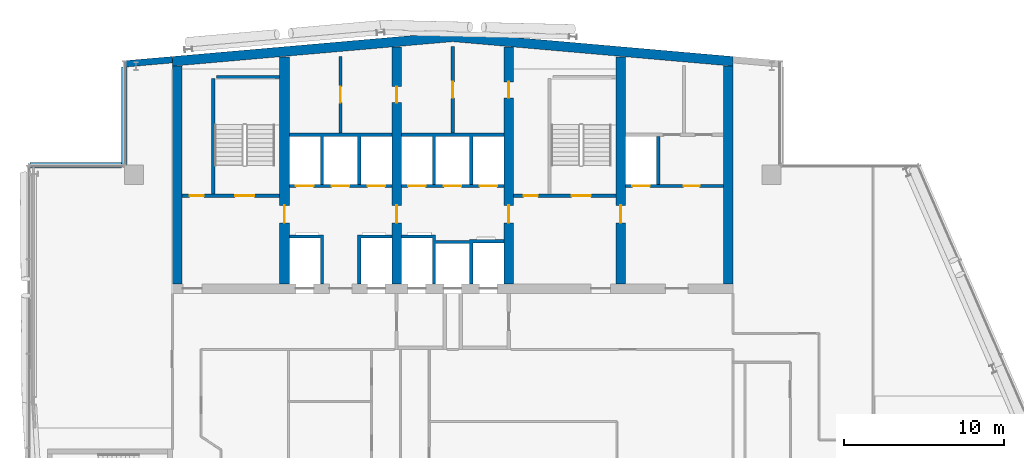
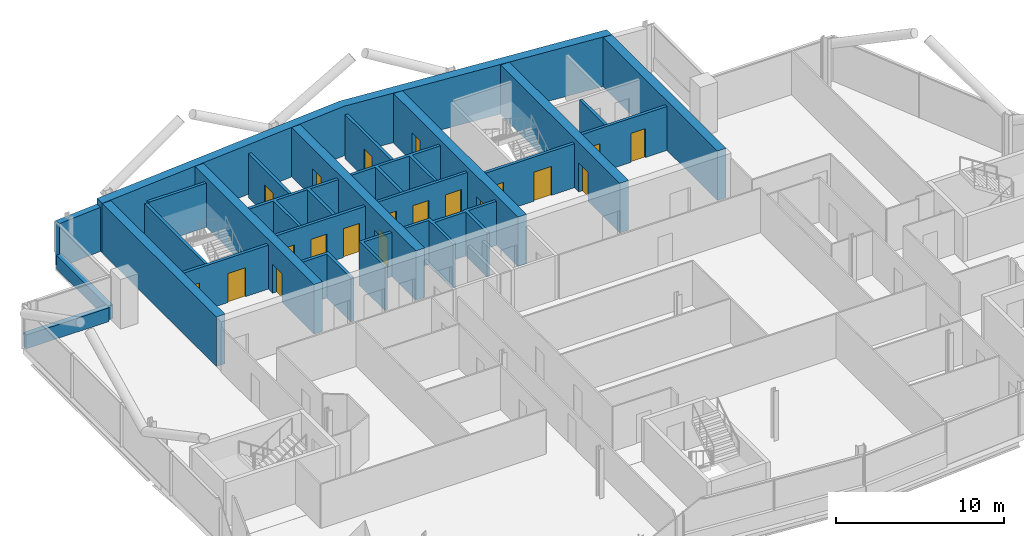
# One storey, part 18 of 25: 25 walls, 20 doors, 20 openings.
"""IFC4 building model written with IfcOpenShell, lengths in metres."""

from ifc_helpers import new_model, si_unit, direction, frame, frame_2d, origin, place, context, subcontext, project, spatial, polyline, rectangle, outline, extrude, material, layer, layer_set, type_object, element, fill, save


model = new_model("IFC4")

# Units and contexts
model_context = context("Model", 3, precision=1e-05, world=origin(), true_north=direction((0.0, 1.0)))
body_context = subcontext(model_context, "Body", "Model", "MODEL_VIEW")
ifc_project = project(units=[si_unit("LENGTHUNIT", "METRE"), si_unit("AREAUNIT", "SQUARE_METRE"), si_unit("VOLUMEUNIT", "CUBIC_METRE"), si_unit("PLANEANGLEUNIT", "RADIAN"), si_unit("MASSUNIT", "GRAM", prefix="KILO")], contexts=[model_context])

# Site, building, storey
site_placement = place(None, origin())
site = spatial("IfcSite", under=ifc_project, at=site_placement, CompositionType="ELEMENT")
building_placement = place(site_placement, origin())
building = spatial("IfcBuilding", under=site, at=building_placement, Name="Wharfspan Tower", CompositionType="ELEMENT")
storey_placement = place(building_placement, frame((0.0, 0.0, 225.100098)))
storey = spatial("IfcBuildingStorey", under=building, at=storey_placement, Name="L56", CompositionType="ELEMENT", Elevation=225.100098)

# Wall, opening, door
ifc_material_1 = material(Name="Calcium silicate masonry", Category="masonry")
ifc_layer_1 = layer(ifc_material_1, 0.199951)
ifc_layer_set_1 = layer_set([ifc_layer_1], Name="Calcium silicate masonry")
wall_type_1 = type_object("IfcWallType", Name="Core room wall 200", PredefinedType="PARTITIONING", material=ifc_layer_set_1)
wall_1_placement = place(storey_placement, frame((33.5, 44.0, 0.0), z_axis=(0.0, 0.0, 1.0), x_axis=(0.0, 1.0, 0.0)))
wall_1 = element("IfcWall", 1, at=wall_1_placement, inside=storey, type_object=wall_type_1, Name="sw:L56:RP3.1", PredefinedType="PARTITIONING", context=body_context, shape_type="SweptSolid", body=[
    extrude(rectangle(XDim=4.803711, YDim=0.199951, at=frame_2d((2.401855, 0.0))), origin(), (0.0, 0.0, 1.0), 3.199951),
])
opening_1_placement = place(wall_1_placement, frame((1.901855, 0.0, 0.0)))
opening_1 = element("IfcOpeningElement", 2, at=opening_1_placement, cuts=wall_1, Name="Opening CD56.3P1", PredefinedType="OPENING", context=body_context, shape_type="SweptSolid", body=[
    extrude(rectangle(XDim=1.0, YDim=2.100098, at=frame_2d((0.5, 1.050049))), frame((0.0, 0.109863, 0.0), z_axis=(0.0, -1.0, 0.0), x_axis=(1.0, 0.0, 0.0)), (0.0, 0.0, 1.0), 0.219971),
])
ifc_material_2 = material(Name="Steel door leaf", Category="steel")
door_type_1 = type_object("IfcDoorType", Name="Core room door 1000x2100", OperationType="SINGLE_SWING_LEFT", PredefinedType="DOOR", material=ifc_material_2)
door_1_placement = place(opening_1_placement, origin())
door_1 = element("IfcDoor", 3, at=door_1_placement, inside=storey, type_object=door_type_1, Name="d:L56:3:rp1", OperationType="SINGLE_SWING_LEFT", OverallHeight=2.100098, OverallWidth=1.0, PredefinedType="DOOR", context=body_context, shape_type="SweptSolid", body=[
    extrude(rectangle(XDim=1.0, YDim=2.100098, at=frame_2d((0.5, 1.050049))), frame((0.0, 0.024902, 0.0), z_axis=(0.0, -1.0, 0.0), x_axis=(1.0, 0.0, 0.0)), (0.0, 0.0, 1.0), 0.050049),
])
fill(opening_1, door_1)

wall_2_placement = place(storey_placement, frame((40.5, 44.0, 0.0), z_axis=(0.0, 0.0, 1.0), x_axis=(0.0, 1.0, 0.0)))
wall_2 = element("IfcWall", 4, at=wall_2_placement, inside=storey, type_object=wall_type_1, Name="sw:L56:RP4.1", PredefinedType="PARTITIONING", context=body_context, shape_type="SweptSolid", body=[
    extrude(rectangle(XDim=5.41626, YDim=0.199951, at=frame_2d((2.708008, 0.0))), origin(), (0.0, 0.0, 1.0), 3.199951),
])
opening_2_placement = place(wall_2_placement, frame((2.208008, 0.0, 0.0)))
opening_2 = element("IfcOpeningElement", 5, at=opening_2_placement, cuts=wall_2, Name="Opening CD56.4P1", PredefinedType="OPENING", context=body_context, shape_type="SweptSolid", body=[
    extrude(rectangle(XDim=1.0, YDim=2.100098, at=frame_2d((0.5, 1.050049))), frame((0.0, 0.109863, 0.0), z_axis=(0.0, -1.0, 0.0), x_axis=(1.0, 0.0, 0.0)), (0.0, 0.0, 1.0), 0.219971),
])
door_2_placement = place(opening_2_placement, origin())
door_2 = element("IfcDoor", 6, at=door_2_placement, inside=storey, type_object=door_type_1, Name="d:L56:4:rp1", OperationType="SINGLE_SWING_LEFT", OverallHeight=2.100098, OverallWidth=1.0, PredefinedType="DOOR", context=body_context, shape_type="SweptSolid", body=[
    extrude(rectangle(XDim=1.0, YDim=2.100098, at=frame_2d((0.5, 1.050049))), frame((0.0, 0.024902, 0.0), z_axis=(0.0, -1.0, 0.0), x_axis=(1.0, 0.0, 0.0)), (0.0, 0.0, 1.0), 0.050049),
])
fill(opening_2, door_2)

# Walls
ifc_material_3 = material(Name="Concrete C50/60", Category="concrete")
ifc_layer_2 = layer(ifc_material_3, 0.600098)
ifc_layer_set_2 = layer_set([ifc_layer_2], Name="Concrete C50/60")
wall_type_2 = type_object("IfcWallType", Name="Core wall 600 C50/60", PredefinedType="SHEAR", material=ifc_layer_set_2)
wall_3_placement = place(storey_placement, frame((0.0, 0.0, -0.000244)))
element("IfcWall", 7, at=wall_3_placement, inside=storey, type_object=wall_type_2, Name="Core rear wall L56", PredefinedType="SHEAR", context=body_context, shape_type="SweptSolid", body=[
    extrude(outline(polyline([(23.0, 48.185059), (40.5, 49.716064), (58.0, 48.185059), (58.0, 48.787354), (40.5, 50.318359), (23.0, 48.787354), (23.0, 48.185059)])), origin(), (0.0, 0.0, 1.0), 3.600098),
])
wall_4_placement = place(storey_placement, frame((23.300049, 34.600098, 0.0), z_axis=(0.0, 0.0, 1.0), x_axis=(0.0, 1.0, 0.0)))
element("IfcWall", 8, at=wall_4_placement, inside=storey, type_object=wall_type_2, Name="Core cross wall EW0 L56", PredefinedType="SHEAR", context=body_context, shape_type="SweptSolid", body=[
    extrude(rectangle(XDim=13.584961, YDim=0.600098, at=frame_2d((6.79248, 0.0))), origin(), (0.0, 0.0, 1.0), 3.599854),
])

# Wall, opening, door
wall_5_placement = place(storey_placement, frame((30.0, 34.600098, 0.0), z_axis=(0.0, 0.0, 1.0), x_axis=(0.0, 1.0, 0.0)))
wall_5 = element("IfcWall", 9, at=wall_5_placement, inside=storey, type_object=wall_type_2, Name="Core cross wall X3 L56", PredefinedType="SHEAR", context=body_context, shape_type="SweptSolid", body=[
    extrude(rectangle(XDim=14.171143, YDim=0.600098, at=frame_2d((7.085449, 0.0))), origin(), (0.0, 0.0, 1.0), 3.599854),
])
opening_3_placement = place(wall_5_placement, frame((3.800049, 0.0, 0.0)))
opening_3 = element("IfcOpeningElement", 10, at=opening_3_placement, cuts=wall_5, Name="Opening CC56.3", PredefinedType="OPENING", context=body_context, shape_type="SweptSolid", body=[
    extrude(rectangle(XDim=1.100098, YDim=2.100098, at=frame_2d((0.550049, 1.050049))), frame((0.0, 0.310059, 0.0), z_axis=(0.0, -1.0, 0.0), x_axis=(1.0, 0.0, 0.0)), (0.0, 0.0, 1.0), 0.620117),
])
door_type_2 = type_object("IfcDoorType", Name="Core corridor door 1100x2100", OperationType="SINGLE_SWING_LEFT", PredefinedType="DOOR", material=ifc_material_2)
door_3_placement = place(opening_3_placement, origin())
door_3 = element("IfcDoor", 11, at=door_3_placement, inside=storey, type_object=door_type_2, Name="xd:L56:3", OperationType="SINGLE_SWING_LEFT", OverallHeight=2.100098, OverallWidth=1.100098, PredefinedType="DOOR", context=body_context, shape_type="SweptSolid", body=[
    extrude(rectangle(XDim=1.100098, YDim=2.100098, at=frame_2d((0.550049, 1.050049))), frame((0.0, 0.024902, 0.0), z_axis=(0.0, -1.0, 0.0), x_axis=(1.0, 0.0, 0.0)), (0.0, 0.0, 1.0), 0.050049),
])
fill(opening_3, door_3)

# Wall, openings, doors
wall_6_placement = place(storey_placement, frame((37.0, 34.600098, 0.0), z_axis=(0.0, 0.0, 1.0), x_axis=(0.0, 1.0, 0.0)))
wall_6 = element("IfcWall", 12, at=wall_6_placement, inside=storey, type_object=wall_type_2, Name="Core cross wall X4 L56", PredefinedType="SHEAR", context=body_context, shape_type="SweptSolid", body=[
    extrude(rectangle(XDim=14.783691, YDim=0.600098, at=frame_2d((7.391846, 0.0))), origin(), (0.0, 0.0, 1.0), 3.599854),
])
opening_4_placement = place(wall_6_placement, frame((11.302002, 0.0, 0.0)))
opening_4 = element("IfcOpeningElement", 13, at=opening_4_placement, cuts=wall_6, Name="Opening CD56.3X", PredefinedType="OPENING", context=body_context, shape_type="SweptSolid", body=[
    extrude(rectangle(XDim=1.0, YDim=2.100098, at=frame_2d((0.5, 1.050049))), frame((0.0, 0.310059, 0.0), z_axis=(0.0, -1.0, 0.0), x_axis=(1.0, 0.0, 0.0)), (0.0, 0.0, 1.0), 0.620117),
])
opening_5_placement = place(wall_6_placement, frame((3.800049, 0.0, 0.0)))
opening_5 = element("IfcOpeningElement", 14, at=opening_5_placement, cuts=wall_6, Name="Opening CC56.4", PredefinedType="OPENING", context=body_context, shape_type="SweptSolid", body=[
    extrude(rectangle(XDim=1.100098, YDim=2.100098, at=frame_2d((0.550049, 1.050049))), frame((0.0, 0.310059, 0.0), z_axis=(0.0, -1.0, 0.0), x_axis=(1.0, 0.0, 0.0)), (0.0, 0.0, 1.0), 0.620117),
])
door_4_placement = place(opening_5_placement, origin())
door_4 = element("IfcDoor", 15, at=door_4_placement, inside=storey, type_object=door_type_2, Name="xd:L56:4", OperationType="SINGLE_SWING_RIGHT", OverallHeight=2.100098, OverallWidth=1.100098, PredefinedType="DOOR", context=body_context, shape_type="SweptSolid", body=[
    extrude(rectangle(XDim=1.100098, YDim=2.100098, at=frame_2d((0.550049, 1.050049))), frame((0.0, 0.024902, 0.0), z_axis=(0.0, -1.0, 0.0), x_axis=(1.0, 0.0, 0.0)), (0.0, 0.0, 1.0), 0.050049),
])
fill(opening_5, door_4)
door_5_placement = place(opening_4_placement, origin())
door_5 = element("IfcDoor", 16, at=door_5_placement, inside=storey, type_object=door_type_1, Name="d:L56:3:sx", OperationType="SINGLE_SWING_LEFT", OverallHeight=2.100098, OverallWidth=1.0, PredefinedType="DOOR", context=body_context, shape_type="SweptSolid", body=[
    extrude(rectangle(XDim=1.0, YDim=2.100098, at=frame_2d((0.5, 1.050049))), frame((0.0, 0.024902, 0.0), z_axis=(0.0, -1.0, 0.0), x_axis=(1.0, 0.0, 0.0)), (0.0, 0.0, 1.0), 0.050049),
])
fill(opening_4, door_5)

wall_7_placement = place(storey_placement, frame((44.0, 34.600098, 0.0), z_axis=(0.0, 0.0, 1.0), x_axis=(0.0, 1.0, 0.0)))
wall_7 = element("IfcWall", 17, at=wall_7_placement, inside=storey, type_object=wall_type_2, Name="Core cross wall X5 L56", PredefinedType="SHEAR", context=body_context, shape_type="SweptSolid", body=[
    extrude(rectangle(XDim=14.783691, YDim=0.600098, at=frame_2d((7.391846, 0.0))), origin(), (0.0, 0.0, 1.0), 3.599854),
])
opening_6_placement = place(wall_7_placement, frame((11.608154, 0.0, 0.0)))
opening_6 = element("IfcOpeningElement", 18, at=opening_6_placement, cuts=wall_7, Name="Opening CD56.4X", PredefinedType="OPENING", context=body_context, shape_type="SweptSolid", body=[
    extrude(rectangle(XDim=1.0, YDim=2.100098, at=frame_2d((0.5, 1.050049))), frame((0.0, 0.310059, 0.0), z_axis=(0.0, -1.0, 0.0), x_axis=(1.0, 0.0, 0.0)), (0.0, 0.0, 1.0), 0.620117),
])
opening_7_placement = place(wall_7_placement, frame((3.800049, 0.0, 0.0)))
opening_7 = element("IfcOpeningElement", 19, at=opening_7_placement, cuts=wall_7, Name="Opening CC56.5", PredefinedType="OPENING", context=body_context, shape_type="SweptSolid", body=[
    extrude(rectangle(XDim=1.100098, YDim=2.100098, at=frame_2d((0.550049, 1.050049))), frame((0.0, 0.310059, 0.0), z_axis=(0.0, -1.0, 0.0), x_axis=(1.0, 0.0, 0.0)), (0.0, 0.0, 1.0), 0.620117),
])
door_6_placement = place(opening_7_placement, origin())
door_6 = element("IfcDoor", 20, at=door_6_placement, inside=storey, type_object=door_type_2, Name="xd:L56:5", OperationType="SINGLE_SWING_LEFT", OverallHeight=2.100098, OverallWidth=1.100098, PredefinedType="DOOR", context=body_context, shape_type="SweptSolid", body=[
    extrude(rectangle(XDim=1.100098, YDim=2.100098, at=frame_2d((0.550049, 1.050049))), frame((0.0, 0.024902, 0.0), z_axis=(0.0, -1.0, 0.0), x_axis=(1.0, 0.0, 0.0)), (0.0, 0.0, 1.0), 0.050049),
])
fill(opening_7, door_6)
door_7_placement = place(opening_6_placement, origin())
door_7 = element("IfcDoor", 21, at=door_7_placement, inside=storey, type_object=door_type_1, Name="d:L56:4:sx", OperationType="SINGLE_SWING_LEFT", OverallHeight=2.100098, OverallWidth=1.0, PredefinedType="DOOR", context=body_context, shape_type="SweptSolid", body=[
    extrude(rectangle(XDim=1.0, YDim=2.100098, at=frame_2d((0.5, 1.050049))), frame((0.0, 0.024902, 0.0), z_axis=(0.0, -1.0, 0.0), x_axis=(1.0, 0.0, 0.0)), (0.0, 0.0, 1.0), 0.050049),
])
fill(opening_6, door_7)

# Wall, opening, door
wall_8_placement = place(storey_placement, frame((51.0, 34.600098, 0.0), z_axis=(0.0, 0.0, 1.0), x_axis=(0.0, 1.0, 0.0)))
wall_8 = element("IfcWall", 22, at=wall_8_placement, inside=storey, type_object=wall_type_2, Name="Core cross wall X6 L56", PredefinedType="SHEAR", context=body_context, shape_type="SweptSolid", body=[
    extrude(rectangle(XDim=14.171143, YDim=0.600098, at=frame_2d((7.085449, 0.0))), origin(), (0.0, 0.0, 1.0), 3.599854),
])
opening_8_placement = place(wall_8_placement, frame((3.800049, 0.0, 0.0)))
opening_8 = element("IfcOpeningElement", 23, at=opening_8_placement, cuts=wall_8, Name="Opening CC56.6", PredefinedType="OPENING", context=body_context, shape_type="SweptSolid", body=[
    extrude(rectangle(XDim=1.100098, YDim=2.100098, at=frame_2d((0.550049, 1.050049))), frame((0.0, 0.310059, 0.0), z_axis=(0.0, -1.0, 0.0), x_axis=(1.0, 0.0, 0.0)), (0.0, 0.0, 1.0), 0.620117),
])
door_8_placement = place(opening_8_placement, origin())
door_8 = element("IfcDoor", 24, at=door_8_placement, inside=storey, type_object=door_type_2, Name="xd:L56:6", OperationType="SINGLE_SWING_RIGHT", OverallHeight=2.100098, OverallWidth=1.100098, PredefinedType="DOOR", context=body_context, shape_type="SweptSolid", body=[
    extrude(rectangle(XDim=1.100098, YDim=2.100098, at=frame_2d((0.550049, 1.050049))), frame((0.0, 0.024902, 0.0), z_axis=(0.0, -1.0, 0.0), x_axis=(1.0, 0.0, 0.0)), (0.0, 0.0, 1.0), 0.050049),
])
fill(opening_8, door_8)

# Wall
wall_9_placement = place(storey_placement, frame((57.699951, 34.600098, 0.0), z_axis=(0.0, 0.0, 1.0), x_axis=(0.0, 1.0, 0.0)))
element("IfcWall", 25, at=wall_9_placement, inside=storey, type_object=wall_type_2, Name="Core cross wall EW1 L56", PredefinedType="SHEAR", context=body_context, shape_type="SweptSolid", body=[
    extrude(rectangle(XDim=13.584961, YDim=0.600098, at=frame_2d((6.79248, 0.0))), origin(), (0.0, 0.0, 1.0), 3.599854),
])

# Wall, openings, doors
ifc_material_4 = material(Name="Concrete C30/37", Category="concrete")
ifc_layer_3 = layer(ifc_material_4, 0.199951)
ifc_layer_set_3 = layer_set([ifc_layer_3], Name="Concrete C30/37")
wall_type_3 = type_object("IfcWallType", Name="Lift shaft wall 200", PredefinedType="PARTITIONING", material=ifc_layer_set_3)
wall_10_placement = place(storey_placement, frame((30.300049, 40.699951, 0.0), z_axis=(0.0, 0.0, 1.0), x_axis=(1.0, 0.0, 0.0)))
wall_10 = element("IfcWall", 26, at=wall_10_placement, inside=storey, type_object=wall_type_3, Name="sw:L56:RF3", PredefinedType="PARTITIONING", context=body_context, shape_type="SweptSolid", body=[
    extrude(rectangle(XDim=6.399902, YDim=0.199951, at=frame_2d((3.199951, 0.0))), origin(), (0.0, 0.0, 1.0), 3.199951),
])
opening_9_placement = place(wall_10_placement, frame((0.416748, 0.0, 0.0)))
opening_9 = element("IfcOpeningElement", 27, at=opening_9_placement, cuts=wall_10, Name="Opening LD.LB1.L56", PredefinedType="OPENING", context=body_context, shape_type="SweptSolid", body=[
    extrude(rectangle(XDim=1.100098, YDim=2.100098, at=frame_2d((0.550049, 1.050049))), frame((0.0, 0.109863, 0.0), z_axis=(0.0, -1.0, 0.0), x_axis=(1.0, 0.0, 0.0)), (0.0, 0.0, 1.0), 0.219971),
])
opening_10_placement = place(wall_10_placement, frame((2.649902, 0.0, 0.0)))
opening_10 = element("IfcOpeningElement", 28, at=opening_10_placement, cuts=wall_10, Name="Opening LD.LB2.L56", PredefinedType="OPENING", context=body_context, shape_type="SweptSolid", body=[
    extrude(rectangle(XDim=1.100098, YDim=2.100098, at=frame_2d((0.550049, 1.050049))), frame((0.0, 0.109863, 0.0), z_axis=(0.0, -1.0, 0.0), x_axis=(1.0, 0.0, 0.0)), (0.0, 0.0, 1.0), 0.219971),
])
opening_11_placement = place(wall_10_placement, frame((4.883301, 0.0, 0.0)))
opening_11 = element("IfcOpeningElement", 29, at=opening_11_placement, cuts=wall_10, Name="Opening LD.LB3.L56", PredefinedType="OPENING", context=body_context, shape_type="SweptSolid", body=[
    extrude(rectangle(XDim=1.100098, YDim=2.100098, at=frame_2d((0.550049, 1.050049))), frame((0.0, 0.109863, 0.0), z_axis=(0.0, -1.0, 0.0), x_axis=(1.0, 0.0, 0.0)), (0.0, 0.0, 1.0), 0.219971),
])
ifc_material_5 = material(Name="Stainless steel", Category="steel")
door_type_3 = type_object("IfcDoorType", Name="Lift landing door 1100x2100", OperationType="DOUBLE_DOOR_SLIDING", PredefinedType="DOOR", material=ifc_material_5)
door_9_placement = place(opening_9_placement, origin())
door_9 = element("IfcDoor", 30, at=door_9_placement, inside=storey, type_object=door_type_3, Name="Landing door LB1 L56", OperationType="DOUBLE_DOOR_SLIDING", OverallHeight=2.100098, OverallWidth=1.100098, PredefinedType="DOOR", context=body_context, shape_type="SweptSolid", body=[
    extrude(rectangle(XDim=1.100098, YDim=2.100098, at=frame_2d((0.550049, 1.050049))), frame((0.0, 0.024902, 0.0), z_axis=(0.0, -1.0, 0.0), x_axis=(1.0, 0.0, 0.0)), (0.0, 0.0, 1.0), 0.050049),
])
fill(opening_9, door_9)
door_10_placement = place(opening_10_placement, origin())
door_10 = element("IfcDoor", 31, at=door_10_placement, inside=storey, type_object=door_type_3, Name="Landing door LB2 L56", OperationType="DOUBLE_DOOR_SLIDING", OverallHeight=2.100098, OverallWidth=1.100098, PredefinedType="DOOR", context=body_context, shape_type="SweptSolid", body=[
    extrude(rectangle(XDim=1.100098, YDim=2.100098, at=frame_2d((0.550049, 1.050049))), frame((0.0, 0.024902, 0.0), z_axis=(0.0, -1.0, 0.0), x_axis=(1.0, 0.0, 0.0)), (0.0, 0.0, 1.0), 0.050049),
])
fill(opening_10, door_10)
door_11_placement = place(opening_11_placement, origin())
door_11 = element("IfcDoor", 32, at=door_11_placement, inside=storey, type_object=door_type_3, Name="Landing door LB3 L56", OperationType="DOUBLE_DOOR_SLIDING", OverallHeight=2.100098, OverallWidth=1.100098, PredefinedType="DOOR", context=body_context, shape_type="SweptSolid", body=[
    extrude(rectangle(XDim=1.100098, YDim=2.100098, at=frame_2d((0.550049, 1.050049))), frame((0.0, 0.024902, 0.0), z_axis=(0.0, -1.0, 0.0), x_axis=(1.0, 0.0, 0.0)), (0.0, 0.0, 1.0), 0.050049),
])
fill(opening_11, door_11)

# Walls
wall_11_placement = place(storey_placement, frame((0.0, 0.0, -0.000244)))
element("IfcWall", 33, at=wall_11_placement, inside=storey, type_object=wall_type_3, Name="sw:L56:FM3.0", PredefinedType="PARTITIONING", context=body_context, shape_type="SweptSolid", body=[
    extrude(outline(polyline([(32.233398, 37.449951), (30.300049, 37.449951), (30.300049, 37.649902), (32.233398, 37.649902), (32.43335, 37.649902), (32.43335, 34.600098), (32.233398, 34.600098), (32.233398, 37.449951)])), origin(), (0.0, 0.0, 1.0), 3.200195),
])
wall_12_placement = place(storey_placement, frame((0.0, 0.0, -0.000244)))
element("IfcWall", 34, at=wall_12_placement, inside=storey, type_object=wall_type_3, Name="sw:L56:FM3.1", PredefinedType="PARTITIONING", context=body_context, shape_type="SweptSolid", body=[
    extrude(outline(polyline([(34.56665, 37.649902), (34.766602, 37.649902), (36.699951, 37.649902), (36.699951, 37.449951), (34.766602, 37.449951), (34.766602, 34.600098), (34.56665, 34.600098), (34.56665, 37.649902)])), origin(), (0.0, 0.0, 1.0), 3.200195),
])
wall_13_placement = place(storey_placement, frame((0.0, 0.0, -0.000244)))
element("IfcWall", 35, at=wall_13_placement, inside=storey, type_object=wall_type_3, Name="sw:L56:RM3.0", PredefinedType="PARTITIONING", context=body_context, shape_type="SweptSolid", body=[
    extrude(outline(polyline([(32.43335, 40.800049), (32.233398, 40.800049), (32.233398, 43.800049), (30.300049, 43.800049), (30.300049, 44.0), (36.699951, 44.0), (36.699951, 43.800049), (34.766602, 43.800049), (34.766602, 40.800049), (34.56665, 40.800049), (34.56665, 43.800049), (32.43335, 43.800049), (32.43335, 40.800049)])), origin(), (0.0, 0.0, 1.0), 3.200195),
])

# Wall, openings, doors
wall_14_placement = place(storey_placement, frame((37.300049, 40.699951, 0.0), z_axis=(0.0, 0.0, 1.0), x_axis=(1.0, 0.0, 0.0)))
wall_14 = element("IfcWall", 36, at=wall_14_placement, inside=storey, type_object=wall_type_3, Name="sw:L56:RF4", PredefinedType="PARTITIONING", context=body_context, shape_type="SweptSolid", body=[
    extrude(rectangle(XDim=6.399902, YDim=0.199951, at=frame_2d((3.199951, 0.0))), origin(), (0.0, 0.0, 1.0), 3.199951),
])
opening_12_placement = place(wall_14_placement, frame((0.416748, 0.0, 0.0)))
opening_12 = element("IfcOpeningElement", 37, at=opening_12_placement, cuts=wall_14, Name="Opening LD.LB4.L56", PredefinedType="OPENING", context=body_context, shape_type="SweptSolid", body=[
    extrude(rectangle(XDim=1.100098, YDim=2.100098, at=frame_2d((0.550049, 1.050049))), frame((0.0, 0.109863, 0.0), z_axis=(0.0, -1.0, 0.0), x_axis=(1.0, 0.0, 0.0)), (0.0, 0.0, 1.0), 0.219971),
])
opening_13_placement = place(wall_14_placement, frame((2.649902, 0.0, 0.0)))
opening_13 = element("IfcOpeningElement", 38, at=opening_13_placement, cuts=wall_14, Name="Opening LD.LB5.L56", PredefinedType="OPENING", context=body_context, shape_type="SweptSolid", body=[
    extrude(rectangle(XDim=1.100098, YDim=2.100098, at=frame_2d((0.550049, 1.050049))), frame((0.0, 0.109863, 0.0), z_axis=(0.0, -1.0, 0.0), x_axis=(1.0, 0.0, 0.0)), (0.0, 0.0, 1.0), 0.219971),
])
opening_14_placement = place(wall_14_placement, frame((4.883301, 0.0, 0.0)))
opening_14 = element("IfcOpeningElement", 39, at=opening_14_placement, cuts=wall_14, Name="Opening LD.LB6.L56", PredefinedType="OPENING", context=body_context, shape_type="SweptSolid", body=[
    extrude(rectangle(XDim=1.100098, YDim=2.100098, at=frame_2d((0.550049, 1.050049))), frame((0.0, 0.109863, 0.0), z_axis=(0.0, -1.0, 0.0), x_axis=(1.0, 0.0, 0.0)), (0.0, 0.0, 1.0), 0.219971),
])
door_12_placement = place(opening_12_placement, origin())
door_12 = element("IfcDoor", 40, at=door_12_placement, inside=storey, type_object=door_type_3, Name="Landing door LB4 L56", OperationType="DOUBLE_DOOR_SLIDING", OverallHeight=2.100098, OverallWidth=1.100098, PredefinedType="DOOR", context=body_context, shape_type="SweptSolid", body=[
    extrude(rectangle(XDim=1.100098, YDim=2.100098, at=frame_2d((0.550049, 1.050049))), frame((0.0, 0.024902, 0.0), z_axis=(0.0, -1.0, 0.0), x_axis=(1.0, 0.0, 0.0)), (0.0, 0.0, 1.0), 0.050049),
])
fill(opening_12, door_12)
door_13_placement = place(opening_13_placement, origin())
door_13 = element("IfcDoor", 41, at=door_13_placement, inside=storey, type_object=door_type_3, Name="Landing door LB5 L56", OperationType="DOUBLE_DOOR_SLIDING", OverallHeight=2.100098, OverallWidth=1.100098, PredefinedType="DOOR", context=body_context, shape_type="SweptSolid", body=[
    extrude(rectangle(XDim=1.100098, YDim=2.100098, at=frame_2d((0.550049, 1.050049))), frame((0.0, 0.024902, 0.0), z_axis=(0.0, -1.0, 0.0), x_axis=(1.0, 0.0, 0.0)), (0.0, 0.0, 1.0), 0.050049),
])
fill(opening_13, door_13)
door_14_placement = place(opening_14_placement, origin())
door_14 = element("IfcDoor", 42, at=door_14_placement, inside=storey, type_object=door_type_3, Name="Landing door LB6 L56", OperationType="DOUBLE_DOOR_SLIDING", OverallHeight=2.100098, OverallWidth=1.100098, PredefinedType="DOOR", context=body_context, shape_type="SweptSolid", body=[
    extrude(rectangle(XDim=1.100098, YDim=2.100098, at=frame_2d((0.550049, 1.050049))), frame((0.0, 0.024902, 0.0), z_axis=(0.0, -1.0, 0.0), x_axis=(1.0, 0.0, 0.0)), (0.0, 0.0, 1.0), 0.050049),
])
fill(opening_14, door_14)

# Walls
wall_15_placement = place(storey_placement, frame((0.0, 0.0, -0.000244)))
element("IfcWall", 43, at=wall_15_placement, inside=storey, type_object=wall_type_3, Name="sw:L56:FM4.0", PredefinedType="PARTITIONING", context=body_context, shape_type="SweptSolid", body=[
    extrude(outline(polyline([(41.56665, 37.100098), (39.43335, 37.100098), (39.43335, 34.600098), (39.233398, 34.600098), (39.233398, 37.449951), (37.300049, 37.449951), (37.300049, 37.649902), (39.233398, 37.649902), (39.43335, 37.649902), (39.43335, 37.300049), (41.56665, 37.300049), (41.56665, 37.350098), (41.766602, 37.350098), (43.699951, 37.350098), (43.699951, 37.149902), (41.766602, 37.149902), (41.766602, 34.600098), (41.56665, 34.600098), (41.56665, 37.100098)])), origin(), (0.0, 0.0, 1.0), 3.200195),
])
wall_16_placement = place(storey_placement, frame((0.0, 0.0, -0.000244)))
element("IfcWall", 44, at=wall_16_placement, inside=storey, type_object=wall_type_3, Name="sw:L56:RM4.0", PredefinedType="PARTITIONING", context=body_context, shape_type="SweptSolid", body=[
    extrude(outline(polyline([(39.43335, 40.800049), (39.233398, 40.800049), (39.233398, 43.800049), (37.300049, 43.800049), (37.300049, 44.0), (43.699951, 44.0), (43.699951, 43.800049), (41.766602, 43.800049), (41.766602, 40.800049), (41.56665, 40.800049), (41.56665, 43.800049), (39.43335, 43.800049), (39.43335, 40.800049)])), origin(), (0.0, 0.0, 1.0), 3.200195),
])

# Wall, openings, doors
wall_17_placement = place(storey_placement, frame((51.300049, 40.699951, 0.0), z_axis=(0.0, 0.0, 1.0), x_axis=(1.0, 0.0, 0.0)))
wall_17 = element("IfcWall", 45, at=wall_17_placement, inside=storey, type_object=wall_type_3, Name="sw:L56:RF6", PredefinedType="PARTITIONING", context=body_context, shape_type="SweptSolid", body=[
    extrude(rectangle(XDim=6.099854, YDim=0.199951, at=frame_2d((3.049805, 0.0))), origin(), (0.0, 0.0, 1.0), 3.199951),
])
opening_15_placement = place(wall_17_placement, frame((0.416748, 0.0, 0.0)))
opening_15 = element("IfcOpeningElement", 46, at=opening_15_placement, cuts=wall_17, Name="Opening LD.LB8.L56", PredefinedType="OPENING", context=body_context, shape_type="SweptSolid", body=[
    extrude(rectangle(XDim=1.100098, YDim=2.100098, at=frame_2d((0.550049, 1.050049))), frame((0.0, 0.109863, 0.0), z_axis=(0.0, -1.0, 0.0), x_axis=(1.0, 0.0, 0.0)), (0.0, 0.0, 1.0), 0.219971),
])
opening_16_placement = place(wall_17_placement, frame((3.616699, 0.0, 0.0)))
opening_16 = element("IfcOpeningElement", 47, at=opening_16_placement, cuts=wall_17, Name="Opening CD56.6R2", PredefinedType="OPENING", context=body_context, shape_type="SweptSolid", body=[
    extrude(rectangle(XDim=1.0, YDim=2.100098, at=frame_2d((0.5, 1.050049))), frame((0.0, 0.109863, 0.0), z_axis=(0.0, -1.0, 0.0), x_axis=(1.0, 0.0, 0.0)), (0.0, 0.0, 1.0), 0.219971),
])
door_15_placement = place(opening_16_placement, origin())
door_15 = element("IfcDoor", 48, at=door_15_placement, inside=storey, type_object=door_type_1, Name="d:L56:6:rd6.2", OperationType="SINGLE_SWING_RIGHT", OverallHeight=2.100098, OverallWidth=1.0, PredefinedType="DOOR", context=body_context, shape_type="SweptSolid", body=[
    extrude(rectangle(XDim=1.0, YDim=2.100098, at=frame_2d((0.5, 1.050049))), frame((0.0, 0.024902, 0.0), z_axis=(0.0, -1.0, 0.0), x_axis=(1.0, 0.0, 0.0)), (0.0, 0.0, 1.0), 0.050049),
])
fill(opening_16, door_15)
door_16_placement = place(opening_15_placement, origin())
door_16 = element("IfcDoor", 49, at=door_16_placement, inside=storey, type_object=door_type_3, Name="Landing door LB8 L56", OperationType="DOUBLE_DOOR_SLIDING", OverallHeight=2.100098, OverallWidth=1.100098, PredefinedType="DOOR", context=body_context, shape_type="SweptSolid", body=[
    extrude(rectangle(XDim=1.100098, YDim=2.100098, at=frame_2d((0.550049, 1.050049))), frame((0.0, 0.024902, 0.0), z_axis=(0.0, -1.0, 0.0), x_axis=(1.0, 0.0, 0.0)), (0.0, 0.0, 1.0), 0.050049),
])
fill(opening_15, door_16)

# Walls
wall_18_placement = place(storey_placement, frame((0.0, 0.0, -0.000244)))
element("IfcWall", 50, at=wall_18_placement, inside=storey, type_object=wall_type_3, Name="sw:L56:RM6.0", PredefinedType="PARTITIONING", context=body_context, shape_type="SweptSolid", body=[
    extrude(outline(polyline([(53.43335, 40.800049), (53.43335, 43.800049), (53.233398, 43.800049), (53.233398, 40.800049), (53.43335, 40.800049)])), origin(), (0.0, 0.0, 1.0), 3.200195),
])
ifc_material_6 = material(Name="Concrete C40/50", Category="concrete")
ifc_layer_4 = layer(ifc_material_6, 0.350098)
ifc_layer_set_4 = layer_set([ifc_layer_4], Name="Concrete C40/50")
wall_type_4 = type_object("IfcWallType", Name="SPANDREL EXPOSED CONCRETE 350", PredefinedType="SOLIDWALL", material=ifc_layer_set_4)
wall_19_placement = place(storey_placement, frame((19.995117, 48.126465, 0.0), z_axis=(0.0, 0.0, 1.0), x_axis=(0.0, -1.0, 0.0)))
element("IfcWall", 51, at=wall_19_placement, inside=storey, type_object=wall_type_4, Name="Spandrel upstand L56 NRW-V", PredefinedType="SOLIDWALL", context=body_context, shape_type="SweptSolid", body=[
    extrude(rectangle(XDim=6.126465, YDim=0.350098, at=frame_2d((3.063232, 0.0))), origin(), (0.0, 0.0, 1.0), 1.0),
])
wall_20_placement = place(storey_placement, frame((19.820068, 42.004883, 0.0), z_axis=(0.0, 0.0, 1.0), x_axis=(-1.0, 0.0, 0.0)))
element("IfcWall", 52, at=wall_20_placement, inside=storey, type_object=wall_type_4, Name="Spandrel upstand L56 NRW-H", PredefinedType="SOLIDWALL", context=body_context, shape_type="SweptSolid", body=[
    extrude(rectangle(XDim=5.699951, YDim=0.350098, at=frame_2d((2.850098, 0.0))), origin(), (0.0, 0.0, 1.0), 1.0),
])

# Wall, openings, doors
ifc_layer_5 = layer(ifc_material_6, 0.199951)
ifc_layer_set_5 = layer_set([ifc_layer_5], Name="Concrete C40/50")
wall_type_5 = type_object("IfcWallType", Name="Stair shaft wall 200", PredefinedType="SHEAR", material=ifc_layer_set_5)
wall_21_placement = place(storey_placement, frame((23.600098, 40.100098, 0.0), z_axis=(0.0, 0.0, 1.0), x_axis=(1.0, 0.0, 0.0)))
wall_21 = element("IfcWall", 53, at=wall_21_placement, inside=storey, type_object=wall_type_5, Name="ST1 stair enclosure wall L56", PredefinedType="SHEAR", context=body_context, shape_type="SweptSolid", body=[
    extrude(rectangle(XDim=6.099854, YDim=0.199951, at=frame_2d((3.049805, 0.0))), origin(), (0.0, 0.0, 1.0), 3.199951),
])
opening_17_placement = place(wall_21_placement, frame((3.324951, 0.0, 0.0)))
opening_17 = element("IfcOpeningElement", 54, at=opening_17_placement, cuts=wall_21, Name="Opening SD2.L56", PredefinedType="OPENING", context=body_context, shape_type="SweptSolid", body=[
    extrude(rectangle(XDim=1.199951, YDim=2.100098, at=frame_2d((0.600098, 1.050049))), frame((0.0, 0.109863, 0.0), z_axis=(0.0, -1.0, 0.0), x_axis=(1.0, 0.0, 0.0)), (0.0, 0.0, 1.0), 0.219971),
])
opening_18_placement = place(wall_21_placement, frame((0.475098, 0.0, 0.0)))
opening_18 = element("IfcOpeningElement", 55, at=opening_18_placement, cuts=wall_21, Name="Opening CD56.2R", PredefinedType="OPENING", context=body_context, shape_type="SweptSolid", body=[
    extrude(rectangle(XDim=0.899902, YDim=2.100098, at=frame_2d((0.449951, 1.050049))), frame((0.0, 0.109863, 0.0), z_axis=(0.0, -1.0, 0.0), x_axis=(1.0, 0.0, 0.0)), (0.0, 0.0, 1.0), 0.219971),
])
door_17_placement = place(opening_18_placement, origin())
door_17 = element("IfcDoor", 56, at=door_17_placement, inside=storey, type_object=door_type_1, Name="rk:L56:2", OperationType="SINGLE_SWING_LEFT", OverallHeight=2.100098, OverallWidth=0.899902, PredefinedType="DOOR", context=body_context, shape_type="SweptSolid", body=[
    extrude(rectangle(XDim=0.899902, YDim=2.100098, at=frame_2d((0.449951, 1.050049))), frame((0.0, 0.024902, 0.0), z_axis=(0.0, -1.0, 0.0), x_axis=(1.0, 0.0, 0.0)), (0.0, 0.0, 1.0), 0.050049),
])
fill(opening_18, door_17)
door_type_4 = type_object("IfcDoorType", Name="Stair door 1200x2100", OperationType="SINGLE_SWING_LEFT", PredefinedType="DOOR", material=ifc_material_2)
door_18_placement = place(opening_17_placement, origin())
door_18 = element("IfcDoor", 57, at=door_18_placement, inside=storey, type_object=door_type_4, Name="sd:L56:2", OperationType="SINGLE_SWING_RIGHT", OverallHeight=2.100098, OverallWidth=1.199951, PredefinedType="DOOR", context=body_context, shape_type="SweptSolid", body=[
    extrude(rectangle(XDim=1.199951, YDim=2.100098, at=frame_2d((0.600098, 1.050049))), frame((0.0, 0.024902, 0.0), z_axis=(0.0, -1.0, 0.0), x_axis=(1.0, 0.0, 0.0)), (0.0, 0.0, 1.0), 0.050049),
])
fill(opening_17, door_18)

# Walls
wall_22_placement = place(storey_placement, frame((25.550049, 40.199951, 0.0), z_axis=(0.0, 0.0, 1.0), x_axis=(0.0, 1.0, 0.0)))
element("IfcWall", 58, at=wall_22_placement, inside=storey, type_object=wall_type_5, Name="ST1 stair enclosure wall L56", PredefinedType="SHEAR", context=body_context, shape_type="SweptSolid", body=[
    extrude(rectangle(XDim=7.199951, YDim=0.199951, at=frame_2d((3.600098, 0.0))), origin(), (0.0, 0.0, 1.0), 3.199951),
])
wall_23_placement = place(storey_placement, frame((25.75, 47.5, 0.0), z_axis=(0.0, 0.0, 1.0), x_axis=(1.0, 0.0, 0.0)))
element("IfcWall", 59, at=wall_23_placement, inside=storey, type_object=wall_type_5, Name="ST1 stair enclosure wall L56", PredefinedType="SHEAR", context=body_context, shape_type="SweptSolid", body=[
    extrude(rectangle(XDim=3.949951, YDim=0.199951, at=frame_2d((1.975098, 0.0))), origin(), (0.0, 0.0, 1.0), 3.199951),
])

# Wall, openings, doors
wall_24_placement = place(storey_placement, frame((44.300049, 40.100098, 0.0), z_axis=(0.0, 0.0, 1.0), x_axis=(1.0, 0.0, 0.0)))
wall_24 = element("IfcWall", 60, at=wall_24_placement, inside=storey, type_object=wall_type_5, Name="ST2 stair enclosure wall L56", PredefinedType="SHEAR", context=body_context, shape_type="SweptSolid", body=[
    extrude(rectangle(XDim=6.399902, YDim=0.199951, at=frame_2d((3.199951, 0.0))), origin(), (0.0, 0.0, 1.0), 3.199951),
])
opening_19_placement = place(wall_24_placement, frame((3.625, 0.0, 0.0)))
opening_19 = element("IfcOpeningElement", 61, at=opening_19_placement, cuts=wall_24, Name="Opening SD5.L56", PredefinedType="OPENING", context=body_context, shape_type="SweptSolid", body=[
    extrude(rectangle(XDim=1.199951, YDim=2.100098, at=frame_2d((0.600098, 1.050049))), frame((0.0, 0.109863, 0.0), z_axis=(0.0, -1.0, 0.0), x_axis=(1.0, 0.0, 0.0)), (0.0, 0.0, 1.0), 0.219971),
])
opening_20_placement = place(wall_24_placement, frame((0.625, 0.0, 0.0)))
opening_20 = element("IfcOpeningElement", 62, at=opening_20_placement, cuts=wall_24, Name="Opening CD56.5R", PredefinedType="OPENING", context=body_context, shape_type="SweptSolid", body=[
    extrude(rectangle(XDim=0.899902, YDim=2.100098, at=frame_2d((0.449951, 1.050049))), frame((0.0, 0.109863, 0.0), z_axis=(0.0, -1.0, 0.0), x_axis=(1.0, 0.0, 0.0)), (0.0, 0.0, 1.0), 0.219971),
])
door_19_placement = place(opening_20_placement, origin())
door_19 = element("IfcDoor", 63, at=door_19_placement, inside=storey, type_object=door_type_1, Name="rk:L56:5", OperationType="SINGLE_SWING_LEFT", OverallHeight=2.100098, OverallWidth=0.899902, PredefinedType="DOOR", context=body_context, shape_type="SweptSolid", body=[
    extrude(rectangle(XDim=0.899902, YDim=2.100098, at=frame_2d((0.449951, 1.050049))), frame((0.0, 0.024902, 0.0), z_axis=(0.0, -1.0, 0.0), x_axis=(1.0, 0.0, 0.0)), (0.0, 0.0, 1.0), 0.050049),
])
fill(opening_20, door_19)
door_20_placement = place(opening_19_placement, origin())
door_20 = element("IfcDoor", 64, at=door_20_placement, inside=storey, type_object=door_type_4, Name="sd:L56:5", OperationType="SINGLE_SWING_RIGHT", OverallHeight=2.100098, OverallWidth=1.199951, PredefinedType="DOOR", context=body_context, shape_type="SweptSolid", body=[
    extrude(rectangle(XDim=1.199951, YDim=2.100098, at=frame_2d((0.600098, 1.050049))), frame((0.0, 0.024902, 0.0), z_axis=(0.0, -1.0, 0.0), x_axis=(1.0, 0.0, 0.0)), (0.0, 0.0, 1.0), 0.050049),
])
fill(opening_19, door_20)

# Wall
ifc_layer_6 = layer(ifc_material_6, 0.399902)
ifc_layer_set_6 = layer_set([ifc_layer_6], Name="Concrete C40/50")
wall_type_6 = type_object("IfcWallType", Name="WALL EXPOSED CONCRETE 400", PredefinedType="SOLIDWALL", material=ifc_layer_set_6)
wall_25_placement = place(storey_placement, frame((23.0, 48.58667, 0.0), z_axis=(0.0, 0.0, 1.0), x_axis=(-0.996194, -0.087168, 0.0)))
element("IfcWall", 65, at=wall_25_placement, inside=storey, type_object=wall_type_6, Name="Rear wall N1", PredefinedType="SOLIDWALL", context=body_context, shape_type="SweptSolid", body=[
    extrude(rectangle(XDim=2.994141, YDim=0.399902, at=frame_2d((1.49707, 0.0))), origin(), (0.0, 0.0, 1.0), 3.199951),
])

save(model, "model.ifc")
